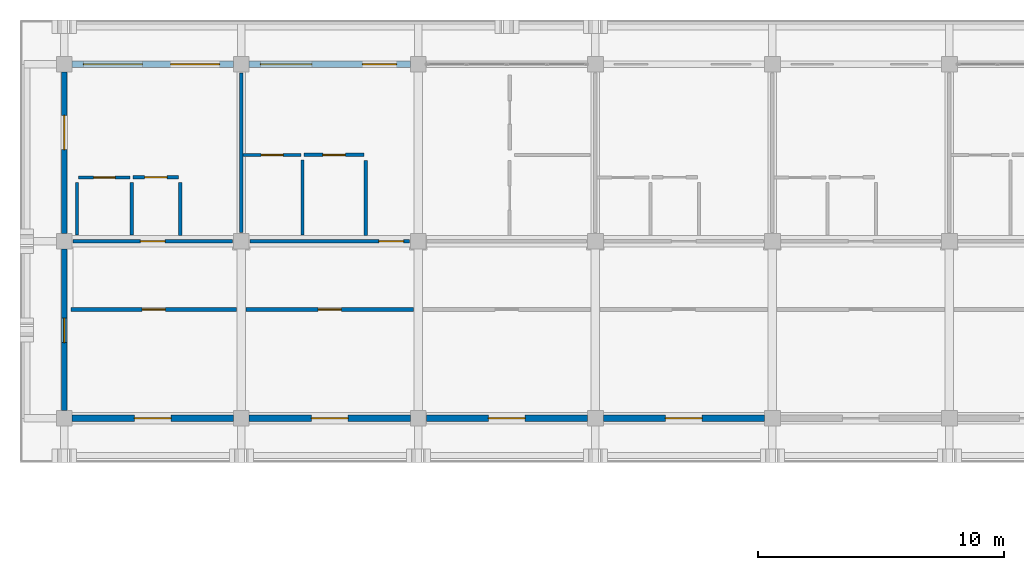
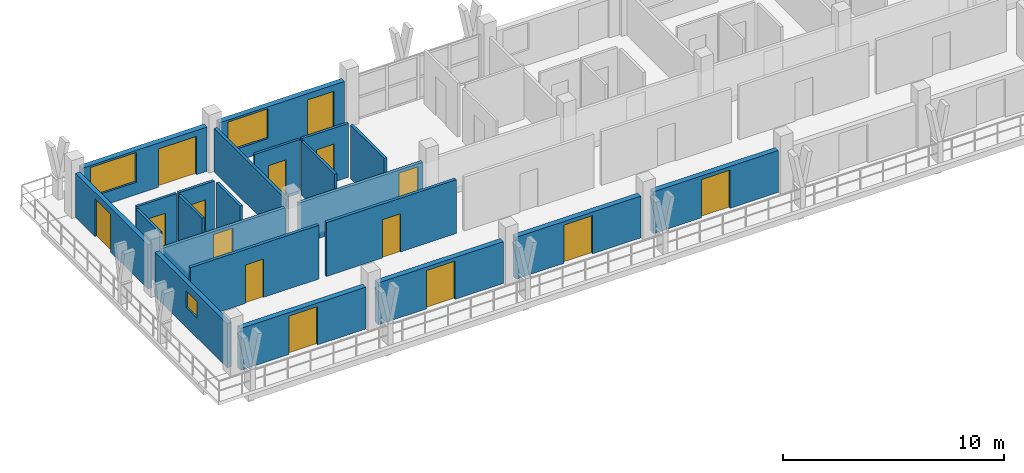
# One storey, part 44 of 76: 22 walls, 15 doors, 3 windows, 18 openings.
"""IFC4 building model written with IfcOpenShell, lengths in metres."""

import ifcopenshell
import ifcopenshell.guid

model = None  # the IFC model being written
_history = None  # IfcOwnerHistory: only IFC2X3 demands one
_inside = {}  # id of a spatial element -> (the spatial element, [elements in it])
_under = {}  # id of a project, library or spatial element -> (it, [spatial elements below it])
_declared = {}  # id of a project -> (the project, [libraries it declares])
_typed = {}  # id of a type object -> (the type object, [elements of that type])
_made_of = {}  # id of a material, layer set ... -> (it, [elements and type objects made of it])


def new_model(schema):
    """Start an empty IFC model of exactly this schema.

    Asked for "IFC4X3", IfcOpenShell would pick the latest addendum, in which some entities
    have other attributes; the version numbers below select the first issue.
    IFC2X3 requires an IfcOwnerHistory on every rooted entity: one is made here for all.
    """
    global model, _history
    if schema == "IFC4X3":
        model = ifcopenshell.file(schema_version=(4, 3, 0, 0))
    else:
        model = ifcopenshell.file(schema=schema)
    _inside.clear()
    _under.clear()
    _declared.clear()
    _typed.clear()
    _made_of.clear()
    _history = None
    if model.schema == "IFC2X3":
        org = make("IfcOrganization", Name="unknown")
        user = make(
            "IfcPersonAndOrganization",
            ThePerson=make("IfcPerson", FamilyName="unknown"),
            TheOrganization=org,
        )
        app = make(
            "IfcApplication",
            ApplicationDeveloper=org,
            Version="unknown",
            ApplicationFullName="unknown",
            ApplicationIdentifier="unknown",
        )
        _history = make(
            "IfcOwnerHistory",
            OwningUser=user,
            OwningApplication=app,
            ChangeAction="ADDED",
            CreationDate=0,
        )
    return model


def make(cls, **values):
    """One entity of the class cls with the attributes given. An attribute that is None is left unset."""
    return model.create_entity(
        cls, **{name: value for name, value in values.items() if value is not None}
    )


def rooted(cls, **values):
    """An entity with a GlobalId (a new one), such as an element, a storey or a relation."""
    return make(cls, GlobalId=ifcopenshell.guid.new(), OwnerHistory=_history, **values)


def si_unit(unit_type, name, prefix=None):
    """IfcSIUnit, for example si_unit("LENGTHUNIT", "METRE", prefix="MILLI")."""
    return make("IfcSIUnit", UnitType=unit_type, Prefix=prefix, Name=name)


def assignment(units):
    """IfcUnitAssignment: the units of a project."""
    return None if units is None else make("IfcUnitAssignment", Units=units)


def point(xyz):
    """IfcCartesianPoint."""
    return None if xyz is None else make("IfcCartesianPoint", Coordinates=xyz)


def direction(xyz):
    """IfcDirection."""
    return None if xyz is None else make("IfcDirection", DirectionRatios=xyz)


def frame(location, z_axis=None, x_axis=None):
    """IfcAxis2Placement3D, a coordinate frame: its origin and axes. An axis left out is left unset."""
    return make(
        "IfcAxis2Placement3D",
        Location=point(location),
        Axis=direction(z_axis),
        RefDirection=direction(x_axis),
    )


def frame_2d(location, x_axis=None):
    """IfcAxis2Placement2D, a coordinate frame in the plane: its origin and x axis."""
    return make(
        "IfcAxis2Placement2D", Location=point(location), RefDirection=direction(x_axis)
    )


def origin():
    """The frame at (0, 0, 0) with its axes left unset."""
    return frame((0.0, 0.0, 0.0))


def place(relative_to, where):
    """IfcLocalPlacement: puts the frame where relative to a parent placement (None: the world)."""
    return make(
        "IfcLocalPlacement", PlacementRelTo=relative_to, RelativePlacement=where
    )


def context(
    kind, dimensions, precision=None, world=None, true_north=None, identifier=None
):
    """IfcGeometricRepresentationContext, for example the 3D "Model" context."""
    return make(
        "IfcGeometricRepresentationContext",
        ContextIdentifier=identifier,
        ContextType=kind,
        CoordinateSpaceDimension=dimensions,
        Precision=precision,
        WorldCoordinateSystem=world,
        TrueNorth=true_north,
    )


def subcontext(parent, identifier, kind, view, scale=None):
    """IfcGeometricRepresentationSubContext, for example "Body" below "Model"."""
    return make(
        "IfcGeometricRepresentationSubContext",
        ContextIdentifier=identifier,
        ContextType=kind,
        ParentContext=parent,
        TargetScale=scale,
        TargetView=view,
    )


def project(units=None, contexts=None):
    """IfcProject with its units and contexts."""
    return rooted(
        "IfcProject",
        Name="project",
        RepresentationContexts=contexts,
        UnitsInContext=assignment(units),
    )


def spatial(cls, under=None, at=None, **own):
    """A site, building, storey or space (cls), placed at a placement, below another one or the project."""
    s = rooted(cls, ObjectPlacement=at, **own)
    if under is not None:
        _under.setdefault(under.id(), (under, []))[1].append(s)
    return s


def profile(cls, at=None, kind="AREA", **sizes):
    """A parametric profile (cls). Its sizes go by their IFC names, for example OverallWidth=200.0."""
    return make(cls, ProfileType=kind, Position=at, **sizes)


def rectangle(**sizes):
    """IfcRectangleProfileDef."""
    return profile("IfcRectangleProfileDef", **sizes)


def extrude(swept, where, along, depth):
    """IfcExtrudedAreaSolid: the profile swept, set in the frame where, extruded along a direction by depth."""
    return make(
        "IfcExtrudedAreaSolid",
        SweptArea=swept,
        Position=where,
        ExtrudedDirection=direction(along),
        Depth=depth,
    )


def shape(context_of_items, identifier, shape_type, items):
    """IfcShapeRepresentation: the items that make up one representation, for example the "Body"."""
    return make(
        "IfcShapeRepresentation",
        ContextOfItems=context_of_items,
        RepresentationIdentifier=identifier,
        RepresentationType=shape_type,
        Items=items,
    )


def material(Name=None, Category=None):
    """IfcMaterial."""
    return make("IfcMaterial", Name=Name, Category=Category)


def layer(
    of_material, thickness, ventilated=None, Name=None, Category=None, Priority=None
):
    """IfcMaterialLayer: one layer of a wall or slab, of a material (None: an air gap)."""
    return make(
        "IfcMaterialLayer",
        Material=of_material,
        LayerThickness=thickness,
        IsVentilated=ventilated,
        Name=Name,
        Category=Category,
        Priority=Priority,
    )


def layer_set(layers, Name=None):
    """IfcMaterialLayerSet."""
    return make("IfcMaterialLayerSet", MaterialLayers=layers, LayerSetName=Name)


def made_of(thing, what):
    """Note that an element or type object is made of a material, layer set ...; save() writes the relation."""
    if what is not None:
        _made_of.setdefault(what.id(), (what, []))[1].append(thing)
    return thing


def type_object(cls, material=None, **own):
    """A type object (cls), such as IfcWallType, which elements share."""
    return made_of(rooted(cls, **own), material)


def element(
    cls,
    number,
    at=None,
    inside=None,
    cuts=None,
    type_object=None,
    material=None,
    context=None,
    identifier="Body",
    shape_type=None,
    held_by="IfcProductDefinitionShape",
    body=None,
    shapes=None,
    **own,
):
    """One element of the class cls, such as IfcWall. Its Tag is "e" and its number.

    at: its placement. inside: the storey or other place that contains it. cuts: it is an
    opening in that element (IfcRelVoidsElement). A single representation is given by context,
    identifier, shape_type and body (its items); several are given by shapes. held_by: the class
    of the entity that holds the representations. save() writes the other relations.
    """
    e = rooted(cls, Tag="e%d" % number, ObjectPlacement=at, **own)
    if body is not None:
        shapes = [shape(context, identifier, shape_type, body)]
    if shapes is not None:
        e.Representation = make(held_by, Representations=shapes)
    if inside is not None:
        _inside.setdefault(inside.id(), (inside, []))[1].append(e)
    if cuts is not None:
        rooted(
            "IfcRelVoidsElement", RelatingBuildingElement=cuts, RelatedOpeningElement=e
        )
    if type_object is not None:
        _typed.setdefault(type_object.id(), (type_object, []))[1].append(e)
    return made_of(e, material)


def fill(opening, filler):
    """IfcRelFillsElement: the door or window that sits in an opening."""
    return rooted(
        "IfcRelFillsElement",
        RelatingOpeningElement=opening,
        RelatedBuildingElement=filler,
    )


def aggregate(whole, parts):
    """IfcRelAggregates: a whole, such as a stair, and the parts it consists of."""
    return rooted("IfcRelAggregates", RelatingObject=whole, RelatedObjects=parts)


def save(model, path):
    """Write the relations noted so far, then the file.

    IfcRelAggregates (storeys below a building ...), IfcRelContainedInSpatialStructure (elements
    in a storey), IfcRelDefinesByType, IfcRelAssociatesMaterial and IfcRelDeclares: one each for
    every whole, place, type object, material and project.
    """
    for whole, parts in _under.values():
        aggregate(whole, parts)
    for where, things in _inside.values():
        rooted(
            "IfcRelContainedInSpatialStructure",
            RelatedElements=things,
            RelatingStructure=where,
        )
    for kind, things in _typed.values():
        rooted("IfcRelDefinesByType", RelatedObjects=things, RelatingType=kind)
    for what, things in _made_of.values():
        rooted("IfcRelAssociatesMaterial", RelatedObjects=things, RelatingMaterial=what)
    for by, libraries in _declared.values():
        rooted("IfcRelDeclares", RelatingContext=by, RelatedDefinitions=libraries)
    model.write(path)


model = new_model("IFC4")

# Units and contexts
model_context = context("Model", 3, precision=1e-05, world=origin(), true_north=direction((0.0, 1.0)))
body_context = subcontext(model_context, "Body", "Model", "MODEL_VIEW")
ifc_project = project(units=[si_unit("LENGTHUNIT", "METRE"), si_unit("AREAUNIT", "SQUARE_METRE"), si_unit("VOLUMEUNIT", "CUBIC_METRE"), si_unit("PLANEANGLEUNIT", "RADIAN"), si_unit("MASSUNIT", "GRAM", prefix="KILO")], contexts=[model_context])

# Site, building, storey
site_placement = place(None, origin())
site = spatial("IfcSite", under=ifc_project, at=site_placement, CompositionType="ELEMENT")
building_placement = place(site_placement, origin())
building = spatial("IfcBuilding", under=site, at=building_placement, Name="Suanplinth Sawtooth Commons", CompositionType="ELEMENT")
storey_placement = place(building_placement, frame((0.0, 0.0, 12.199951171875)))
storey = spatial("IfcBuildingStorey", under=building, at=storey_placement, Name="L03", CompositionType="ELEMENT", Elevation=12.199951171875)

# Wall, openings, door, window
ifc_material_1 = material(Name="Precast concrete C40/50", Category="concrete")
ifc_layer_1 = layer(ifc_material_1, 0.280029296875, Name="Insulated precast architectural facade wall 280mm")
ifc_layer_set_1 = layer_set([ifc_layer_1], Name="Precast concrete C40/50")
wall_type_1 = type_object("IfcWallType", Name="W-EX01", PredefinedType="ELEMENTEDWALL", material=ifc_layer_set_1)
wall_1_placement = place(storey_placement, frame((0.324951171875, 122.39990234375, 0.0), z_axis=(0.0, 0.0, 1.0), x_axis=(1.0, 0.0, 0.0)))
wall_1 = element("IfcWall", 1, at=wall_1_placement, inside=storey, type_object=wall_type_1, Name="Facade Wall W-L03-A-N-0", PredefinedType="ELEMENTEDWALL", context=body_context, shape_type="SweptSolid", body=[
    extrude(rectangle(XDim=6.550048828125, YDim=0.280029296875, at=frame_2d((3.27490234375, 0.0))), origin(), (0.0, 0.0, 1.0), 2.445068359375),
])
opening_1_placement = place(wall_1_placement, frame((4.0, 0.0, 0.0)))
opening_1 = element("IfcOpeningElement", 2, at=opening_1_placement, cuts=wall_1, Name="Opening ED0219", PredefinedType="OPENING", context=body_context, shape_type="SweptSolid", body=[
    extrude(rectangle(XDim=2.0, YDim=2.1201171875, at=frame_2d((1.0, 1.06005859375))), frame((0.0, 0.15478515625, 0.0), z_axis=(0.0, -1.0, 0.0), x_axis=(1.0, 0.0, 0.0)), (0.0, 0.0, 1.0), 0.309814453125),
])
opening_2_placement = place(wall_1_placement, frame((0.449951171875, 0.0, 0.68505859375)))
opening_2 = element("IfcOpeningElement", 3, at=opening_2_placement, cuts=wall_1, Name="Opening W0332", PredefinedType="OPENING", context=body_context, shape_type="SweptSolid", body=[
    extrude(rectangle(XDim=2.39990234375, YDim=1.64990234375, at=frame_2d((1.199951171875, 0.824951171875))), frame((0.0, 0.15478515625, 0.0), z_axis=(0.0, -1.0, 0.0), x_axis=(1.0, 0.0, 0.0)), (0.0, 0.0, 1.0), 0.309814453125),
])
ifc_material_2 = material(Name="Anodized aluminium and low-E glass", Category="aluminium")
door_type_1 = type_object("IfcDoorType", Name="SD-06", OperationType="DOUBLE_DOOR_SLIDING", PredefinedType="DOOR", material=ifc_material_2)
door_1_placement = place(opening_1_placement, frame((2.0, 0.0, 0.0), z_axis=(0.0, 0.0, 1.0), x_axis=(-1.0, 0.0, 0.0)))
door_1 = element("IfcDoor", 4, at=door_1_placement, inside=storey, type_object=door_type_1, Name="Balcony Sliding Door L03-A-N-0", OperationType="DOUBLE_DOOR_SLIDING", OverallHeight=2.1201171875, OverallWidth=2.0, PredefinedType="DOOR", context=body_context, shape_type="SweptSolid", body=[
    extrude(rectangle(XDim=2.0, YDim=2.1201171875, at=frame_2d((1.0, 1.06005859375))), frame((0.0, 0.02490234375, 0.0), z_axis=(0.0, -1.0, 0.0), x_axis=(1.0, 0.0, 0.0)), (0.0, 0.0, 1.0), 0.050048828125),
])
fill(opening_1, door_1)
ifc_material_3 = material(Name="Thermally broken aluminium and low-E double glazing", Category="aluminium")
window_type_1 = type_object("IfcWindowType", Name="WN-05", PartitioningType="TRIPLE_PANEL_VERTICAL", PredefinedType="WINDOW", material=ifc_material_3)
window_1_placement = place(opening_2_placement, origin())
window_1 = element("IfcWindow", 5, at=window_1_placement, inside=storey, type_object=window_type_1, Name="Window L03-A-N-0", OverallHeight=1.64990234375, OverallWidth=2.39990234375, PartitioningType="TRIPLE_PANEL_VERTICAL", PredefinedType="WINDOW", context=body_context, shape_type="SweptSolid", body=[
    extrude(rectangle(XDim=2.39990234375, YDim=1.64990234375, at=frame_2d((1.199951171875, 0.824951171875))), frame((0.0, 0.030029296875, 0.0), z_axis=(0.0, -1.0, 0.0), x_axis=(1.0, 0.0, 0.0)), (0.0, 0.0, 1.0), 0.06005859375),
])
fill(opening_2, window_1)

# Wall, opening, door
wall_2_placement = place(storey_placement, frame((0.324951171875, 108.0, 0.0), z_axis=(0.0, 0.0, 1.0), x_axis=(1.0, 0.0, 0.0)))
wall_2 = element("IfcWall", 6, at=wall_2_placement, inside=storey, type_object=wall_type_1, Name="Courtyard Wall W-L03-A-S-0", PredefinedType="ELEMENTEDWALL", context=body_context, shape_type="SweptSolid", body=[
    extrude(rectangle(XDim=6.550048828125, YDim=0.280029296875, at=frame_2d((3.27490234375, 0.0))), origin(), (0.0, 0.0, 1.0), 2.31494140625),
])
opening_3_placement = place(wall_2_placement, frame((2.52490234375, 0.0, 0.0)))
opening_3 = element("IfcOpeningElement", 7, at=opening_3_placement, cuts=wall_2, Name="Opening ED0220", PredefinedType="OPENING", context=body_context, shape_type="SweptSolid", body=[
    extrude(rectangle(XDim=1.5, YDim=2.1201171875, at=frame_2d((0.75, 1.06005859375))), frame((0.0, 0.15478515625, 0.0), z_axis=(0.0, -1.0, 0.0), x_axis=(1.0, 0.0, 0.0)), (0.0, 0.0, 1.0), 0.309814453125),
])
door_type_2 = type_object("IfcDoorType", Name="SD-03", OperationType="SLIDING_TO_LEFT", PredefinedType="DOOR", material=ifc_material_2)
door_2_placement = place(opening_3_placement, frame((1.5, 0.0, 0.0), z_axis=(0.0, 0.0, 1.0), x_axis=(-1.0, 0.0, 0.0)))
door_2 = element("IfcDoor", 8, at=door_2_placement, inside=storey, type_object=door_type_2, Name="Courtyard Balcony Sliding Door L03-A-S-0", OperationType="SLIDING_TO_LEFT", OverallHeight=2.1201171875, OverallWidth=1.5, PredefinedType="DOOR", context=body_context, shape_type="SweptSolid", body=[
    extrude(rectangle(XDim=1.5, YDim=2.1201171875, at=frame_2d((0.75, 1.06005859375))), frame((0.0, 0.02490234375, 0.0), z_axis=(0.0, -1.0, 0.0), x_axis=(1.0, 0.0, 0.0)), (0.0, 0.0, 1.0), 0.050048828125),
])
fill(opening_3, door_2)

# Wall, openings, door, window
wall_3_placement = place(storey_placement, frame((7.52490234375, 122.39990234375, 0.0), z_axis=(0.0, 0.0, 1.0), x_axis=(1.0, 0.0, 0.0)))
wall_3 = element("IfcWall", 9, at=wall_3_placement, inside=storey, type_object=wall_type_1, Name="Facade Wall W-L03-A-N-1", PredefinedType="ELEMENTEDWALL", context=body_context, shape_type="SweptSolid", body=[
    extrude(rectangle(XDim=6.550048828125, YDim=0.280029296875, at=frame_2d((3.27490234375, 0.0))), origin(), (0.0, 0.0, 1.0), 2.445068359375),
])
opening_4_placement = place(wall_3_placement, frame((4.60009765625, 0.0, 0.0)))
opening_4 = element("IfcOpeningElement", 10, at=opening_4_placement, cuts=wall_3, Name="Opening ED0221", PredefinedType="OPENING", context=body_context, shape_type="SweptSolid", body=[
    extrude(rectangle(XDim=1.39990234375, YDim=2.10009765625, at=frame_2d((0.699951171875, 1.050048828125))), frame((0.0, 0.15478515625, 0.0), z_axis=(0.0, -1.0, 0.0), x_axis=(1.0, 0.0, 0.0)), (0.0, 0.0, 1.0), 0.309814453125),
])
opening_5_placement = place(wall_3_placement, frame((0.449951171875, 0.0, 0.68505859375)))
opening_5 = element("IfcOpeningElement", 11, at=opening_5_placement, cuts=wall_3, Name="Opening W0333", PredefinedType="OPENING", context=body_context, shape_type="SweptSolid", body=[
    extrude(rectangle(XDim=2.10009765625, YDim=1.64990234375, at=frame_2d((1.050048828125, 0.824951171875))), frame((0.0, 0.15478515625, 0.0), z_axis=(0.0, -1.0, 0.0), x_axis=(1.0, 0.0, 0.0)), (0.0, 0.0, 1.0), 0.309814453125),
])
door_type_3 = type_object("IfcDoorType", Name="SD-07", OperationType="SLIDING_TO_RIGHT", PredefinedType="DOOR", material=ifc_material_2)
door_3_placement = place(opening_4_placement, frame((1.39990234375, 0.0, 0.0), z_axis=(0.0, 0.0, 1.0), x_axis=(-1.0, 0.0, 0.0)))
door_3 = element("IfcDoor", 12, at=door_3_placement, inside=storey, type_object=door_type_3, Name="Balcony Sliding Door L03-A-N-1", OperationType="SLIDING_TO_RIGHT", OverallHeight=2.10009765625, OverallWidth=1.39990234375, PredefinedType="DOOR", context=body_context, shape_type="SweptSolid", body=[
    extrude(rectangle(XDim=1.39990234375, YDim=2.10009765625, at=frame_2d((0.699951171875, 1.050048828125))), frame((0.0, 0.02490234375, 0.0), z_axis=(0.0, -1.0, 0.0), x_axis=(1.0, 0.0, 0.0)), (0.0, 0.0, 1.0), 0.050048828125),
])
fill(opening_4, door_3)
window_type_2 = type_object("IfcWindowType", Name="WN-06", PartitioningType="DOUBLE_PANEL_VERTICAL", PredefinedType="WINDOW", material=ifc_material_3)
window_2_placement = place(opening_5_placement, origin())
window_2 = element("IfcWindow", 13, at=window_2_placement, inside=storey, type_object=window_type_2, Name="Window L03-A-N-1", OverallHeight=1.64990234375, OverallWidth=2.10009765625, PartitioningType="DOUBLE_PANEL_VERTICAL", PredefinedType="WINDOW", context=body_context, shape_type="SweptSolid", body=[
    extrude(rectangle(XDim=2.10009765625, YDim=1.64990234375, at=frame_2d((1.050048828125, 0.824951171875))), frame((0.0, 0.030029296875, 0.0), z_axis=(0.0, -1.0, 0.0), x_axis=(1.0, 0.0, 0.0)), (0.0, 0.0, 1.0), 0.06005859375),
])
fill(opening_5, window_2)

# Wall, opening, door
wall_4_placement = place(storey_placement, frame((7.52490234375, 108.0, 0.0), z_axis=(0.0, 0.0, 1.0), x_axis=(1.0, 0.0, 0.0)))
wall_4 = element("IfcWall", 14, at=wall_4_placement, inside=storey, type_object=wall_type_1, Name="Courtyard Wall W-L03-A-S-1", PredefinedType="ELEMENTEDWALL", context=body_context, shape_type="SweptSolid", body=[
    extrude(rectangle(XDim=6.550048828125, YDim=0.280029296875, at=frame_2d((3.27490234375, 0.0))), origin(), (0.0, 0.0, 1.0), 2.31494140625),
])
opening_6_placement = place(wall_4_placement, frame((2.52490234375, 0.0, 0.0)))
opening_6 = element("IfcOpeningElement", 15, at=opening_6_placement, cuts=wall_4, Name="Opening ED0222", PredefinedType="OPENING", context=body_context, shape_type="SweptSolid", body=[
    extrude(rectangle(XDim=1.5, YDim=2.1201171875, at=frame_2d((0.75, 1.06005859375))), frame((0.0, 0.15478515625, 0.0), z_axis=(0.0, -1.0, 0.0), x_axis=(1.0, 0.0, 0.0)), (0.0, 0.0, 1.0), 0.309814453125),
])
door_4_placement = place(opening_6_placement, frame((1.5, 0.0, 0.0), z_axis=(0.0, 0.0, 1.0), x_axis=(-1.0, 0.0, 0.0)))
door_4 = element("IfcDoor", 16, at=door_4_placement, inside=storey, type_object=door_type_2, Name="Courtyard Balcony Sliding Door L03-A-S-1", OperationType="SLIDING_TO_LEFT", OverallHeight=2.1201171875, OverallWidth=1.5, PredefinedType="DOOR", context=body_context, shape_type="SweptSolid", body=[
    extrude(rectangle(XDim=1.5, YDim=2.1201171875, at=frame_2d((0.75, 1.06005859375))), frame((0.0, 0.02490234375, 0.0), z_axis=(0.0, -1.0, 0.0), x_axis=(1.0, 0.0, 0.0)), (0.0, 0.0, 1.0), 0.050048828125),
])
fill(opening_6, door_4)

wall_5_placement = place(storey_placement, frame((14.72509765625, 108.0, 0.0), z_axis=(0.0, 0.0, 1.0), x_axis=(1.0, 0.0, 0.0)))
wall_5 = element("IfcWall", 17, at=wall_5_placement, inside=storey, type_object=wall_type_1, Name="Courtyard Wall W-L03-A-S-2", PredefinedType="ELEMENTEDWALL", context=body_context, shape_type="SweptSolid", body=[
    extrude(rectangle(XDim=6.5498046875, YDim=0.280029296875, at=frame_2d((3.27490234375, 0.0))), origin(), (0.0, 0.0, 1.0), 2.31494140625),
])
opening_7_placement = place(wall_5_placement, frame((2.52490234375, 0.0, 0.0)))
opening_7 = element("IfcOpeningElement", 18, at=opening_7_placement, cuts=wall_5, Name="Opening ED0223", PredefinedType="OPENING", context=body_context, shape_type="SweptSolid", body=[
    extrude(rectangle(XDim=1.5, YDim=2.1201171875, at=frame_2d((0.75, 1.06005859375))), frame((0.0, 0.15478515625, 0.0), z_axis=(0.0, -1.0, 0.0), x_axis=(1.0, 0.0, 0.0)), (0.0, 0.0, 1.0), 0.309814453125),
])
door_5_placement = place(opening_7_placement, frame((1.5, 0.0, 0.0), z_axis=(0.0, 0.0, 1.0), x_axis=(-1.0, 0.0, 0.0)))
door_5 = element("IfcDoor", 19, at=door_5_placement, inside=storey, type_object=door_type_2, Name="Courtyard Balcony Sliding Door L03-A-S-2", OperationType="SLIDING_TO_LEFT", OverallHeight=2.1201171875, OverallWidth=1.5, PredefinedType="DOOR", context=body_context, shape_type="SweptSolid", body=[
    extrude(rectangle(XDim=1.5, YDim=2.1201171875, at=frame_2d((0.75, 1.06005859375))), frame((0.0, 0.02490234375, 0.0), z_axis=(0.0, -1.0, 0.0), x_axis=(1.0, 0.0, 0.0)), (0.0, 0.0, 1.0), 0.050048828125),
])
fill(opening_7, door_5)

wall_6_placement = place(storey_placement, frame((21.925048828125, 108.0, 0.0), z_axis=(0.0, 0.0, 1.0), x_axis=(1.0, 0.0, 0.0)))
wall_6 = element("IfcWall", 20, at=wall_6_placement, inside=storey, type_object=wall_type_1, Name="Courtyard Wall W-L03-A-S-3", PredefinedType="ELEMENTEDWALL", context=body_context, shape_type="SweptSolid", body=[
    extrude(rectangle(XDim=6.550048828125, YDim=0.280029296875, at=frame_2d((3.27490234375, 0.0))), origin(), (0.0, 0.0, 1.0), 2.31494140625),
])
opening_8_placement = place(wall_6_placement, frame((2.52490234375, 0.0, 0.0)))
opening_8 = element("IfcOpeningElement", 21, at=opening_8_placement, cuts=wall_6, Name="Opening ED0225", PredefinedType="OPENING", context=body_context, shape_type="SweptSolid", body=[
    extrude(rectangle(XDim=1.5, YDim=2.1201171875, at=frame_2d((0.75, 1.06005859375))), frame((0.0, 0.15478515625, 0.0), z_axis=(0.0, -1.0, 0.0), x_axis=(1.0, 0.0, 0.0)), (0.0, 0.0, 1.0), 0.309814453125),
])
door_6_placement = place(opening_8_placement, frame((1.5, 0.0, 0.0), z_axis=(0.0, 0.0, 1.0), x_axis=(-1.0, 0.0, 0.0)))
door_6 = element("IfcDoor", 22, at=door_6_placement, inside=storey, type_object=door_type_2, Name="Courtyard Balcony Sliding Door L03-A-S-3", OperationType="SLIDING_TO_LEFT", OverallHeight=2.1201171875, OverallWidth=1.5, PredefinedType="DOOR", context=body_context, shape_type="SweptSolid", body=[
    extrude(rectangle(XDim=1.5, YDim=2.1201171875, at=frame_2d((0.75, 1.06005859375))), frame((0.0, 0.02490234375, 0.0), z_axis=(0.0, -1.0, 0.0), x_axis=(1.0, 0.0, 0.0)), (0.0, 0.0, 1.0), 0.050048828125),
])
fill(opening_8, door_6)

# Wall, opening, window
ifc_layer_2 = layer(ifc_material_1, 0.22998046875, Name="Stepped terrace insulated precast wall 230mm")
ifc_layer_set_2 = layer_set([ifc_layer_2], Name="Precast concrete C40/50")
wall_type_2 = type_object("IfcWallType", Name="W-EX06", PredefinedType="ELEMENTEDWALL", material=ifc_layer_set_2)
wall_7_placement = place(storey_placement, frame((0.0, 108.324951171875, 0.0), z_axis=(0.0, 0.0, 1.0), x_axis=(0.0, 1.0, 0.0)))
wall_7 = element("IfcWall", 23, at=wall_7_placement, inside=storey, type_object=wall_type_2, Name="End Wall W-L03-A-W-15", PredefinedType="ELEMENTEDWALL", context=body_context, shape_type="SweptSolid", body=[
    extrude(rectangle(XDim=6.550048828125, YDim=0.22998046875, at=frame_2d((3.27490234375, 0.0))), origin(), (0.0, 0.0, 1.0), 2.445068359375),
])
opening_9_placement = place(wall_7_placement, frame((2.75, 0.0, 1.10009765625)))
opening_9 = element("IfcOpeningElement", 24, at=opening_9_placement, cuts=wall_7, Name="Opening W0348", PredefinedType="OPENING", context=body_context, shape_type="SweptSolid", body=[
    extrude(rectangle(XDim=1.0, YDim=0.89990234375, at=frame_2d((0.5, 0.449951171875))), frame((0.0, 0.1298828125, 0.0), z_axis=(0.0, -1.0, 0.0), x_axis=(1.0, 0.0, 0.0)), (0.0, 0.0, 1.0), 0.259765625),
])
window_type_3 = type_object("IfcWindowType", Name="WN-12", PartitioningType="SINGLE_PANEL", PredefinedType="WINDOW", material=ifc_material_3)
window_3_placement = place(opening_9_placement, origin())
window_3 = element("IfcWindow", 25, at=window_3_placement, inside=storey, type_object=window_type_3, Name="End Window L03-A-W-15", OverallHeight=0.89990234375, OverallWidth=1.0, PartitioningType="SINGLE_PANEL", PredefinedType="WINDOW", context=body_context, shape_type="SweptSolid", body=[
    extrude(rectangle(XDim=1.0, YDim=0.89990234375, at=frame_2d((0.5, 0.449951171875))), frame((0.0, 0.030029296875, 0.0), z_axis=(0.0, -1.0, 0.0), x_axis=(1.0, 0.0, 0.0)), (0.0, 0.0, 1.0), 0.06005859375),
])
fill(opening_9, window_3)

# Wall, opening, door
wall_8_placement = place(storey_placement, frame((0.0, 115.52490234375, 0.0), z_axis=(0.0, 0.0, 1.0), x_axis=(0.0, 1.0, 0.0)))
wall_8 = element("IfcWall", 26, at=wall_8_placement, inside=storey, type_object=wall_type_2, Name="End Wall W-L03-A-W-16", PredefinedType="ELEMENTEDWALL", context=body_context, shape_type="SweptSolid", body=[
    extrude(rectangle(XDim=6.550048828125, YDim=0.22998046875, at=frame_2d((3.27490234375, 0.0))), origin(), (0.0, 0.0, 1.0), 2.445068359375),
])
opening_10_placement = place(wall_8_placement, frame((3.39990234375, 0.0, 0.0)))
opening_10 = element("IfcOpeningElement", 27, at=opening_10_placement, cuts=wall_8, Name="Opening ED0243", PredefinedType="OPENING", context=body_context, shape_type="SweptSolid", body=[
    extrude(rectangle(XDim=1.39990234375, YDim=2.10009765625, at=frame_2d((0.699951171875, 1.050048828125))), frame((0.0, 0.1298828125, 0.0), z_axis=(0.0, -1.0, 0.0), x_axis=(1.0, 0.0, 0.0)), (0.0, 0.0, 1.0), 0.259765625),
])
door_7_placement = place(opening_10_placement, frame((1.39990234375, 0.0, 0.0), z_axis=(0.0, 0.0, 1.0), x_axis=(-1.0, 0.0, 0.0)))
door_7 = element("IfcDoor", 28, at=door_7_placement, inside=storey, type_object=door_type_3, Name="L03 Block A W End Balcony Door", OperationType="SLIDING_TO_RIGHT", OverallHeight=2.10009765625, OverallWidth=1.39990234375, PredefinedType="DOOR", context=body_context, shape_type="SweptSolid", body=[
    extrude(rectangle(XDim=1.39990234375, YDim=2.10009765625, at=frame_2d((0.699951171875, 1.050048828125))), frame((0.0, 0.02490234375, 0.0), z_axis=(0.0, -1.0, 0.0), x_axis=(1.0, 0.0, 0.0)), (0.0, 0.0, 1.0), 0.050048828125),
])
fill(opening_10, door_7)

ifc_layer_3 = layer(ifc_material_1, 0.159912109375, Name="Fire-rated corridor and lobby wall 160mm")
ifc_layer_set_3 = layer_set([ifc_layer_3], Name="Precast concrete C40/50")
wall_type_3 = type_object("IfcWallType", Name="W-FW01", PredefinedType="PARTITIONING", material=ifc_layer_set_3)
wall_9_placement = place(storey_placement, frame((0.35498046875, 115.199951171875, 0.0), z_axis=(0.0, 0.0, 1.0), x_axis=(1.0, 0.0, 0.0)))
wall_9 = element("IfcWall", 29, at=wall_9_placement, inside=storey, type_object=wall_type_3, Name="W-A-L03-U01-COR", PredefinedType="PARTITIONING", context=body_context, shape_type="SweptSolid", body=[
    extrude(rectangle(XDim=6.489990234375, YDim=0.159912109375, at=frame_2d((3.2451171875, 0.0))), origin(), (0.0, 0.0, 1.0), 2.31494140625),
])
opening_11_placement = place(wall_9_placement, frame((2.7451171875, 0.0, 0.0)))
opening_11 = element("IfcOpeningElement", 30, at=opening_11_placement, cuts=wall_9, Name="Opening FD0866", PredefinedType="OPENING", context=body_context, shape_type="SweptSolid", body=[
    extrude(rectangle(XDim=1.0, YDim=2.14990234375, at=frame_2d((0.5, 1.074951171875))), frame((0.0, 0.0947265625, 0.0), z_axis=(0.0, -1.0, 0.0), x_axis=(1.0, 0.0, 0.0)), (0.0, 0.0, 1.0), 0.189697265625),
])
ifc_material_4 = material(Name="Teak hardwood fire-rated door assembly", Category="wood")
door_type_4 = type_object("IfcDoorType", Name="FD-03", OperationType="NOTDEFINED", PredefinedType="DOOR", material=ifc_material_4)
door_8_placement = place(opening_11_placement, origin())
door_8 = element("IfcDoor", 31, at=door_8_placement, inside=storey, type_object=door_type_4, Name="Unit Entrance Door FD0866", OperationType="SINGLE_SWING_RIGHT", OverallHeight=2.14990234375, OverallWidth=1.0, PredefinedType="DOOR", context=body_context, shape_type="SweptSolid", body=[
    extrude(rectangle(XDim=1.0, YDim=2.14990234375, at=frame_2d((0.5, 1.074951171875))), frame((0.0, 0.02490234375, 0.0), z_axis=(0.0, -1.0, 0.0), x_axis=(1.0, 0.0, 0.0)), (0.0, 0.0, 1.0), 0.050048828125),
])
fill(opening_11, door_8)

wall_10_placement = place(storey_placement, frame((7.554931640625, 115.199951171875, 0.0), z_axis=(0.0, 0.0, 1.0), x_axis=(1.0, 0.0, 0.0)))
wall_10 = element("IfcWall", 32, at=wall_10_placement, inside=storey, type_object=wall_type_3, Name="W-A-L03-U02-COR-S1", PredefinedType="PARTITIONING", context=body_context, shape_type="SweptSolid", body=[
    extrude(rectangle(XDim=6.489990234375, YDim=0.159912109375, at=frame_2d((3.2451171875, 0.0))), origin(), (0.0, 0.0, 1.0), 2.31494140625),
])
opening_12_placement = place(wall_10_placement, frame((5.2451171875, 0.0, 0.0)))
opening_12 = element("IfcOpeningElement", 33, at=opening_12_placement, cuts=wall_10, Name="Opening FD0869", PredefinedType="OPENING", context=body_context, shape_type="SweptSolid", body=[
    extrude(rectangle(XDim=1.0, YDim=2.14990234375, at=frame_2d((0.5, 1.074951171875))), frame((0.0, 0.0947265625, 0.0), z_axis=(0.0, -1.0, 0.0), x_axis=(1.0, 0.0, 0.0)), (0.0, 0.0, 1.0), 0.189697265625),
])
door_9_placement = place(opening_12_placement, origin())
door_9 = element("IfcDoor", 34, at=door_9_placement, inside=storey, type_object=door_type_4, Name="Unit Entrance Door FD0869", OperationType="SINGLE_SWING_LEFT", OverallHeight=2.14990234375, OverallWidth=1.0, PredefinedType="DOOR", context=body_context, shape_type="SweptSolid", body=[
    extrude(rectangle(XDim=1.0, YDim=2.14990234375, at=frame_2d((0.5, 1.074951171875))), frame((0.0, 0.02490234375, 0.0), z_axis=(0.0, -1.0, 0.0), x_axis=(1.0, 0.0, 0.0)), (0.0, 0.0, 1.0), 0.050048828125),
])
fill(opening_12, door_9)

wall_11_placement = place(storey_placement, frame((0.280029296875, 112.419921875, 0.0), z_axis=(0.0, 0.0, 1.0), x_axis=(1.0, 0.0, 0.0)))
wall_11 = element("IfcWall", 35, at=wall_11_placement, inside=storey, type_object=wall_type_3, Name="W-A-L03-COURTROOM-12-COR", PredefinedType="PARTITIONING", context=body_context, shape_type="SweptSolid", body=[
    extrude(rectangle(XDim=6.719970703125, YDim=0.159912109375, at=frame_2d((3.35986328125, 0.0))), origin(), (0.0, 0.0, 1.0), 2.97998046875),
])
opening_13_placement = place(wall_11_placement, frame((2.889892578125, 0.0, 0.0)))
opening_13 = element("IfcOpeningElement", 36, at=opening_13_placement, cuts=wall_11, Name="Opening D0910", PredefinedType="OPENING", context=body_context, shape_type="SweptSolid", body=[
    extrude(rectangle(XDim=0.93994140625, YDim=2.1201171875, at=frame_2d((0.469970703125, 1.06005859375))), frame((0.0, 0.0947265625, 0.0), z_axis=(0.0, -1.0, 0.0), x_axis=(1.0, 0.0, 0.0)), (0.0, 0.0, 1.0), 0.189697265625),
])
ifc_material_5 = material(Name="Teak hardwood", Category="wood")
door_type_5 = type_object("IfcDoorType", Name="D-15", OperationType="NOTDEFINED", PredefinedType="DOOR", material=ifc_material_5)
door_10_placement = place(opening_13_placement, frame((0.93994140625, 0.0, 0.0), z_axis=(0.0, 0.0, 1.0), x_axis=(-1.0, 0.0, 0.0)))
door_10 = element("IfcDoor", 37, at=door_10_placement, inside=storey, type_object=door_type_5, Name="Study Studio Door D0910", OperationType="SINGLE_SWING_RIGHT", OverallHeight=2.1201171875, OverallWidth=0.93994140625, PredefinedType="DOOR", context=body_context, shape_type="SweptSolid", body=[
    extrude(rectangle(XDim=0.93994140625, YDim=2.1201171875, at=frame_2d((0.469970703125, 1.06005859375))), frame((0.0, 0.02490234375, 0.0), z_axis=(0.0, -1.0, 0.0), x_axis=(1.0, 0.0, 0.0)), (0.0, 0.0, 1.0), 0.050048828125),
])
fill(opening_13, door_10)

wall_12_placement = place(storey_placement, frame((7.39990234375, 112.419921875, 0.0), z_axis=(0.0, 0.0, 1.0), x_axis=(1.0, 0.0, 0.0)))
wall_12 = element("IfcWall", 38, at=wall_12_placement, inside=storey, type_object=wall_type_3, Name="W-A-L03-COURTROOM-13-COR", PredefinedType="PARTITIONING", context=body_context, shape_type="SweptSolid", body=[
    extrude(rectangle(XDim=6.800048828125, YDim=0.159912109375, at=frame_2d((3.39990234375, 0.0))), origin(), (0.0, 0.0, 1.0), 2.97998046875),
])
opening_14_placement = place(wall_12_placement, frame((2.929931640625, 0.0, 0.0)))
opening_14 = element("IfcOpeningElement", 39, at=opening_14_placement, cuts=wall_12, Name="Opening D0911", PredefinedType="OPENING", context=body_context, shape_type="SweptSolid", body=[
    extrude(rectangle(XDim=0.93994140625, YDim=2.1201171875, at=frame_2d((0.469970703125, 1.06005859375))), frame((0.0, 0.0947265625, 0.0), z_axis=(0.0, -1.0, 0.0), x_axis=(1.0, 0.0, 0.0)), (0.0, 0.0, 1.0), 0.189697265625),
])
door_11_placement = place(opening_14_placement, frame((0.93994140625, 0.0, 0.0), z_axis=(0.0, 0.0, 1.0), x_axis=(-1.0, 0.0, 0.0)))
door_11 = element("IfcDoor", 40, at=door_11_placement, inside=storey, type_object=door_type_5, Name="Study Studio Door D0911", OperationType="SINGLE_SWING_LEFT", OverallHeight=2.1201171875, OverallWidth=0.93994140625, PredefinedType="DOOR", context=body_context, shape_type="SweptSolid", body=[
    extrude(rectangle(XDim=0.93994140625, YDim=2.1201171875, at=frame_2d((0.469970703125, 1.06005859375))), frame((0.0, 0.02490234375, 0.0), z_axis=(0.0, -1.0, 0.0), x_axis=(1.0, 0.0, 0.0)), (0.0, 0.0, 1.0), 0.050048828125),
])
fill(opening_14, door_11)

# Wall
ifc_layer_4 = layer(ifc_material_1, 0.14990234375, Name="Acoustic precast party demising wall 150mm")
ifc_layer_set_4 = layer_set([ifc_layer_4], Name="Precast concrete C40/50")
wall_type_4 = type_object("IfcWallType", Name="W-FW02", PredefinedType="PARTITIONING", material=ifc_layer_set_4)
wall_13_placement = place(storey_placement, frame((7.199951171875, 115.554931640625, 0.0), z_axis=(0.0, 0.0, 1.0), x_axis=(0.0, 1.0, 0.0)))
element("IfcWall", 41, at=wall_13_placement, inside=storey, type_object=wall_type_4, Name="W-A-L03-U01-PTY", PredefinedType="PARTITIONING", context=body_context, shape_type="SweptSolid", body=[
    extrude(rectangle(XDim=6.489990234375, YDim=0.14990234375, at=frame_2d((3.2451171875, 0.0))), origin(), (0.0, 0.0, 1.0), 2.4150390625),
])

# Wall, opening, door
ifc_material_6 = material(Name="Gypsum plasterboard on steel stud", Category="steel")
ifc_layer_5 = layer(ifc_material_6, 0.139892578125, Name="Fire-rated kitchen partition 140mm")
ifc_layer_set_5 = layer_set([ifc_layer_5], Name="Gypsum plasterboard on steel stud")
wall_type_5 = type_object("IfcWallType", Name="W-PT01", PredefinedType="PARTITIONING", material=ifc_layer_set_5)
wall_14_placement = place(storey_placement, frame((2.800048828125, 117.800048828125, 0.0), z_axis=(0.0, 0.0, 1.0), x_axis=(1.0, 0.0, 0.0)))
wall_14 = element("IfcWall", 42, at=wall_14_placement, inside=storey, type_object=wall_type_5, Name="W-A-L03-U01-KIT1", PredefinedType="PARTITIONING", context=body_context, shape_type="SweptSolid", body=[
    extrude(rectangle(XDim=1.849853515625, YDim=0.139892578125, at=frame_2d((0.9248046875, 0.0))), origin(), (0.0, 0.0, 1.0), 2.97998046875),
])
opening_15_placement = place(wall_14_placement, frame((0.465087890625, 0.0, 0.0)))
opening_15 = element("IfcOpeningElement", 43, at=opening_15_placement, cuts=wall_14, Name="Opening D0868", PredefinedType="OPENING", context=body_context, shape_type="SweptSolid", body=[
    extrude(rectangle(XDim=0.919921875, YDim=2.10009765625, at=frame_2d((0.4599609375, 1.050048828125))), frame((0.0, 0.0849609375, 0.0), z_axis=(0.0, -1.0, 0.0), x_axis=(1.0, 0.0, 0.0)), (0.0, 0.0, 1.0), 0.169677734375),
])
door_type_6 = type_object("IfcDoorType", Name="D-02", OperationType="NOTDEFINED", PredefinedType="DOOR", material=ifc_material_5)
door_12_placement = place(opening_15_placement, frame((0.919921875, 0.0, 0.0), z_axis=(0.0, 0.0, 1.0), x_axis=(-1.0, 0.0, 0.0)))
door_12 = element("IfcDoor", 44, at=door_12_placement, inside=storey, type_object=door_type_6, Name="Kitchen Door D0868", OperationType="SINGLE_SWING_RIGHT", OverallHeight=2.10009765625, OverallWidth=0.919921875, PredefinedType="DOOR", context=body_context, shape_type="SweptSolid", body=[
    extrude(rectangle(XDim=0.919921875, YDim=2.10009765625, at=frame_2d((0.4599609375, 1.050048828125))), frame((0.0, 0.02490234375, 0.0), z_axis=(0.0, -1.0, 0.0), x_axis=(1.0, 0.0, 0.0)), (0.0, 0.0, 1.0), 0.050048828125),
])
fill(opening_15, door_12)

# Wall
wall_15_placement = place(storey_placement, frame((4.719970703125, 115.429931640625, 0.0), z_axis=(0.0, 0.0, 1.0), x_axis=(0.0, 1.0, 0.0)))
element("IfcWall", 45, at=wall_15_placement, inside=storey, type_object=wall_type_5, Name="W-A-L03-U01-KIT2", PredefinedType="PARTITIONING", context=body_context, shape_type="SweptSolid", body=[
    extrude(rectangle(XDim=2.150146484375, YDim=0.139892578125, at=frame_2d((1.0751953125, 0.0))), origin(), (0.0, 0.0, 1.0), 2.97998046875),
])

# Wall, opening, door
wall_16_placement = place(storey_placement, frame((9.75, 118.7099609375, 0.0), z_axis=(0.0, 0.0, 1.0), x_axis=(1.0, 0.0, 0.0)))
wall_16 = element("IfcWall", 46, at=wall_16_placement, inside=storey, type_object=wall_type_5, Name="W-A-L03-U02-KIT1", PredefinedType="PARTITIONING", context=body_context, shape_type="SweptSolid", body=[
    extrude(rectangle(XDim=2.449951171875, YDim=0.139892578125, at=frame_2d((1.22509765625, 0.0))), origin(), (0.0, 0.0, 1.0), 2.97998046875),
])
opening_16_placement = place(wall_16_placement, frame((0.764892578125, 0.0, 0.0)))
opening_16 = element("IfcOpeningElement", 47, at=opening_16_placement, cuts=wall_16, Name="Opening D0871", PredefinedType="OPENING", context=body_context, shape_type="SweptSolid", body=[
    extrude(rectangle(XDim=0.919921875, YDim=2.10009765625, at=frame_2d((0.4599609375, 1.050048828125))), frame((0.0, 0.0849609375, 0.0), z_axis=(0.0, -1.0, 0.0), x_axis=(1.0, 0.0, 0.0)), (0.0, 0.0, 1.0), 0.169677734375),
])
door_13_placement = place(opening_16_placement, frame((0.919921875, 0.0, 0.0), z_axis=(0.0, 0.0, 1.0), x_axis=(-1.0, 0.0, 0.0)))
door_13 = element("IfcDoor", 48, at=door_13_placement, inside=storey, type_object=door_type_6, Name="Kitchen Door D0871", OperationType="SINGLE_SWING_LEFT", OverallHeight=2.10009765625, OverallWidth=0.919921875, PredefinedType="DOOR", context=body_context, shape_type="SweptSolid", body=[
    extrude(rectangle(XDim=0.919921875, YDim=2.10009765625, at=frame_2d((0.4599609375, 1.050048828125))), frame((0.0, 0.02490234375, 0.0), z_axis=(0.0, -1.0, 0.0), x_axis=(1.0, 0.0, 0.0)), (0.0, 0.0, 1.0), 0.050048828125),
])
fill(opening_16, door_13)

# Wall
wall_17_placement = place(storey_placement, frame((12.27001953125, 115.429931640625, 0.0), z_axis=(0.0, 0.0, 1.0), x_axis=(0.0, 1.0, 0.0)))
element("IfcWall", 49, at=wall_17_placement, inside=storey, type_object=wall_type_5, Name="W-A-L03-U02-KIT2", PredefinedType="PARTITIONING", context=body_context, shape_type="SweptSolid", body=[
    extrude(rectangle(XDim=3.06005859375, YDim=0.139892578125, at=frame_2d((1.530029296875, 0.0))), origin(), (0.0, 0.0, 1.0), 2.97998046875),
])

# Wall, opening, door
ifc_layer_6 = layer(ifc_material_6, 0.1298828125, Name="Moisture-resistant bathroom partition 130mm")
ifc_layer_set_6 = layer_set([ifc_layer_6], Name="Gypsum plasterboard on steel stud")
wall_type_6 = type_object("IfcWallType", Name="W-PT02", PredefinedType="PARTITIONING", material=ifc_layer_set_6)
wall_18_placement = place(storey_placement, frame((0.580078125, 117.794921875, 0.0), z_axis=(0.0, 0.0, 1.0), x_axis=(1.0, 0.0, 0.0)))
wall_18 = element("IfcWall", 50, at=wall_18_placement, inside=storey, type_object=wall_type_6, Name="W-A-L03-U01-BTH1", PredefinedType="PARTITIONING", context=body_context, shape_type="SweptSolid", body=[
    extrude(rectangle(XDim=2.099853515625, YDim=0.1298828125, at=frame_2d((1.0498046875, 0.0))), origin(), (0.0, 0.0, 1.0), 2.97998046875),
])
opening_17_placement = place(wall_18_placement, frame((0.610107421875, 0.0, 0.0)))
opening_17 = element("IfcOpeningElement", 51, at=opening_17_placement, cuts=wall_18, Name="Opening D0867", PredefinedType="OPENING", context=body_context, shape_type="SweptSolid", body=[
    extrude(rectangle(XDim=0.8798828125, YDim=2.10009765625, at=frame_2d((0.43994140625, 1.050048828125))), frame((0.0, 0.079833984375, 0.0), z_axis=(0.0, -1.0, 0.0), x_axis=(1.0, 0.0, 0.0)), (0.0, 0.0, 1.0), 0.15966796875),
])
door_type_7 = type_object("IfcDoorType", Name="D-14", OperationType="NOTDEFINED", PredefinedType="DOOR", material=ifc_material_5)
door_14_placement = place(opening_17_placement, frame((0.8798828125, 0.0, 0.0), z_axis=(0.0, 0.0, 1.0), x_axis=(-1.0, 0.0, 0.0)))
door_14 = element("IfcDoor", 52, at=door_14_placement, inside=storey, type_object=door_type_7, Name="Bathroom Door D0867", OperationType="SINGLE_SWING_LEFT", OverallHeight=2.10009765625, OverallWidth=0.8798828125, PredefinedType="DOOR", context=body_context, shape_type="SweptSolid", body=[
    extrude(rectangle(XDim=0.8798828125, YDim=2.10009765625, at=frame_2d((0.43994140625, 1.050048828125))), frame((0.0, 0.02490234375, 0.0), z_axis=(0.0, -1.0, 0.0), x_axis=(1.0, 0.0, 0.0)), (0.0, 0.0, 1.0), 0.050048828125),
])
fill(opening_17, door_14)

# Walls
for number, where, z_axis, x_axis, name in (
    (53, (2.7451171875, 115.4599609375, 0.0), (0.0, 0.0, 1.0), (0.0, 1.0, 0.0), "W-A-L03-U01-BTH2"),
    (54, (0.514892578125, 115.4599609375, 0.0), (0.0, 0.0, 1.0), (0.0, 1.0, 0.0), "W-A-L03-U01-BTH3"),
):
    element("IfcWall", number, at=place(storey_placement, frame(where, z_axis=z_axis, x_axis=x_axis)), inside=storey, type_object=wall_type_6, Name=name, PredefinedType="PARTITIONING", context=body_context, shape_type="SweptSolid", body=[
        extrude(rectangle(XDim=2.130126953125, YDim=0.1298828125, at=frame_2d((1.06494140625, 0.0))), origin(), (0.0, 0.0, 1.0), 2.97998046875),
    ])

# Wall, opening, door
wall_19_placement = place(storey_placement, frame((7.280029296875, 118.705078125, 0.0), z_axis=(0.0, 0.0, 1.0), x_axis=(1.0, 0.0, 0.0)))
wall_19 = element("IfcWall", 55, at=wall_19_placement, inside=storey, type_object=wall_type_6, Name="W-A-L03-U02-BTH1", PredefinedType="PARTITIONING", context=body_context, shape_type="SweptSolid", body=[
    extrude(rectangle(XDim=2.349853515625, YDim=0.1298828125, at=frame_2d((1.1748046875, 0.0))), origin(), (0.0, 0.0, 1.0), 2.97998046875),
])
opening_18_placement = place(wall_19_placement, frame((0.72509765625, 0.0, 0.0)))
opening_18 = element("IfcOpeningElement", 56, at=opening_18_placement, cuts=wall_19, Name="Opening D0870", PredefinedType="OPENING", context=body_context, shape_type="SweptSolid", body=[
    extrude(rectangle(XDim=0.89990234375, YDim=2.10009765625, at=frame_2d((0.449951171875, 1.050048828125))), frame((0.0, 0.079833984375, 0.0), z_axis=(0.0, -1.0, 0.0), x_axis=(1.0, 0.0, 0.0)), (0.0, 0.0, 1.0), 0.15966796875),
])
door_type_8 = type_object("IfcDoorType", Name="D-01", OperationType="NOTDEFINED", PredefinedType="DOOR", material=ifc_material_5)
door_15_placement = place(opening_18_placement, frame((0.89990234375, 0.0, 0.0), z_axis=(0.0, 0.0, 1.0), x_axis=(-1.0, 0.0, 0.0)))
door_15 = element("IfcDoor", 57, at=door_15_placement, inside=storey, type_object=door_type_8, Name="Bathroom Door D0870", OperationType="SINGLE_SWING_RIGHT", OverallHeight=2.10009765625, OverallWidth=0.89990234375, PredefinedType="DOOR", context=body_context, shape_type="SweptSolid", body=[
    extrude(rectangle(XDim=0.89990234375, YDim=2.10009765625, at=frame_2d((0.449951171875, 1.050048828125))), frame((0.0, 0.02490234375, 0.0), z_axis=(0.0, -1.0, 0.0), x_axis=(1.0, 0.0, 0.0)), (0.0, 0.0, 1.0), 0.050048828125),
])
fill(opening_18, door_15)

# Wall
wall_20_placement = place(storey_placement, frame((9.695068359375, 115.4599609375, 0.0), z_axis=(0.0, 0.0, 1.0), x_axis=(0.0, 1.0, 0.0)))
element("IfcWall", 58, at=wall_20_placement, inside=storey, type_object=wall_type_6, Name="W-A-L03-U02-BTH2", PredefinedType="PARTITIONING", context=body_context, shape_type="SweptSolid", body=[
    extrude(rectangle(XDim=3.0400390625, YDim=0.1298828125, at=frame_2d((1.52001953125, 0.0))), origin(), (0.0, 0.0, 1.0), 2.97998046875),
])

save(model, "model.ifc")
